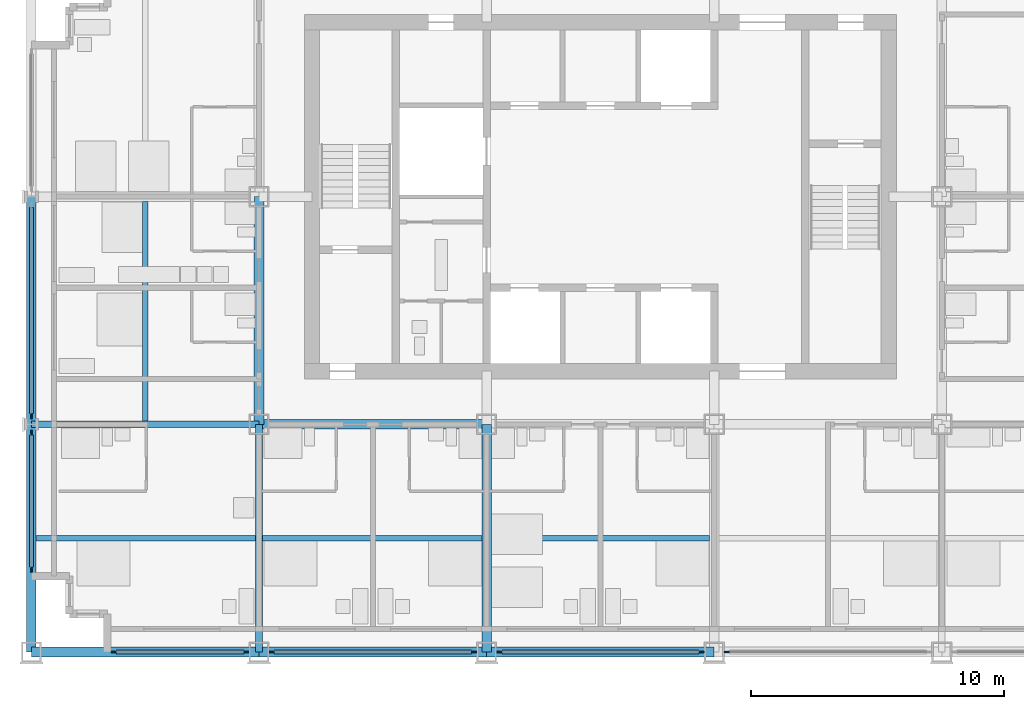
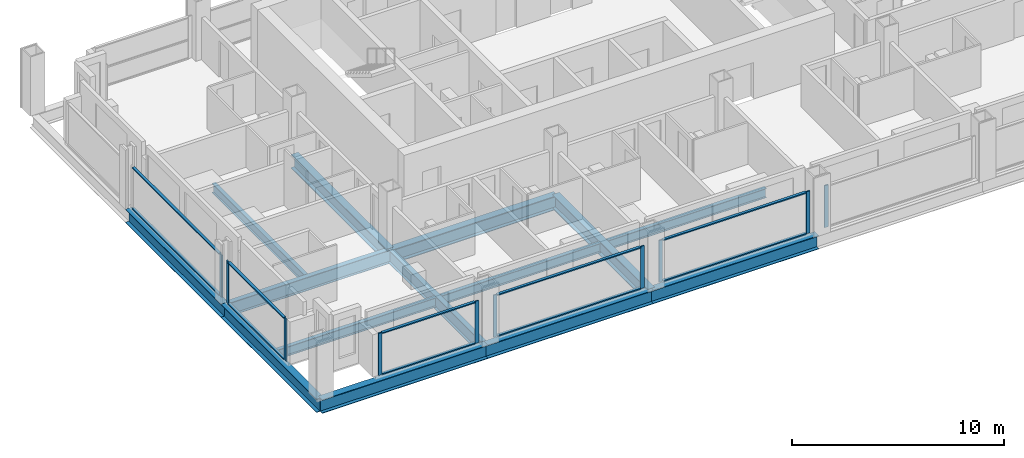
# One storey, part 2 of 14: 20 members, 14 beams, 6 elements without a shape of their own.
"""IFC4 building model written with IfcOpenShell, lengths in metres."""

from ifc_helpers import new_model, si_unit, direction, frame, origin, origin_2d, place, context, subcontext, project, spatial, rectangle, i_section, extrude, material, material_profile, profile_set, type_object, element, aggregate, save


model = new_model("IFC4")

# Units and contexts
model_context = context("Model", 3, precision=1e-05, world=origin(), true_north=direction((0.0, 1.0)))
body_context = subcontext(model_context, "Body", "Model", "MODEL_VIEW")
ifc_project = project(units=[si_unit("LENGTHUNIT", "METRE"), si_unit("AREAUNIT", "SQUARE_METRE"), si_unit("VOLUMEUNIT", "CUBIC_METRE"), si_unit("PLANEANGLEUNIT", "RADIAN"), si_unit("MASSUNIT", "GRAM", prefix="KILO")], contexts=[model_context])

# Site, building, storey
site_placement = place(None, origin())
site = spatial("IfcSite", under=ifc_project, at=site_placement, CompositionType="ELEMENT")
building_placement = place(site_placement, origin())
building = spatial("IfcBuilding", under=site, at=building_placement, Name="Loomwork Tower", CompositionType="ELEMENT")
storey_placement = place(building_placement, frame((0.0, 0.0, 167.199951171875)))
storey = spatial("IfcBuildingStorey", under=building, at=storey_placement, Name="L45", CompositionType="ELEMENT", Elevation=167.199951171875)

# Beams
ifc_material_1 = material(Name="Steel ASTM A992", Category="steel")
ifc_material_profile_1 = material_profile(ifc_material_1, i_section(OverallWidth=0.383544921875, OverallDepth=0.794921875, WebThickness=0.02099609375, FlangeThickness=0.0380859375, at=origin_2d()), Name="W30x235")
ifc_profile_set_1 = profile_set([ifc_material_profile_1], Name="Steel ASTM A992")
beam_type_1 = type_object("IfcBeamType", Name="CORE FLANK GIRDER W30x235", PredefinedType="BEAM", material=ifc_profile_set_1)
for number, where, z_axis, x_axis, name in (
    (1, (9.0, 9.0, -0.597412109375), (1.0, 0.0, 0.0), (0.0, 1.0, 0.0), "Core Flank Girder E/3-E/4 L45"),
    (2, (9.0, 9.0, -0.597412109375), (0.0, 1.0, 0.0), (-1.0, 0.0, 0.0), "Core Flank Girder E/3-F/3 L45"),
    (3, (18.0, 0.0, -0.597412109375), (0.0, 1.0, 0.0), (-1.0, 0.0, 0.0), "Core Flank Girder D/4-E/4 L45"),
):
    element("IfcBeam", number, at=place(storey_placement, frame(where, z_axis=z_axis, x_axis=x_axis)), inside=storey, type_object=beam_type_1, Name=name, PredefinedType="BEAM", context=body_context, shape_type="SweptSolid", body=[
        extrude(i_section(OverallWidth=0.383544921875, OverallDepth=0.794921875, WebThickness=0.02099609375, FlangeThickness=0.0380859375, at=origin_2d()), origin(), (0.0, 0.0, 1.0), 9.0),
    ])
ifc_material_2 = material(Name="Steel ASTM A992", Category="steel")
ifc_material_profile_2 = material_profile(ifc_material_2, i_section(OverallWidth=0.2666015625, OverallDepth=0.761962890625, WebThickness=0.014404296875, FlangeThickness=0.021484375, at=origin_2d()), Name="W30x116")
ifc_profile_set_2 = profile_set([ifc_material_profile_2], Name="Steel ASTM A992")
beam_type_2 = type_object("IfcBeamType", Name="FLOOR GIRDER W30x116", PredefinedType="BEAM", material=ifc_profile_set_2)
for number, where, z_axis, x_axis, name in (
    (4, (0.0, 9.0, -0.5810546875), (1.0, 0.0, 0.0), (0.0, 1.0, 0.0), "Floor Girder E/2-E/3 L45"),
    (5, (9.0, 0.0, -0.5810546875), (0.0, 1.0, 0.0), (-1.0, 0.0, 0.0), "Floor Girder D/3-E/3 L45"),
):
    element("IfcBeam", number, at=place(storey_placement, frame(where, z_axis=z_axis, x_axis=x_axis)), inside=storey, type_object=beam_type_2, Name=name, PredefinedType="BEAM", context=body_context, shape_type="SweptSolid", body=[
        extrude(i_section(OverallWidth=0.2666015625, OverallDepth=0.761962890625, WebThickness=0.014404296875, FlangeThickness=0.021484375, at=origin_2d()), origin(), (0.0, 0.0, 1.0), 9.0),
    ])
ifc_material_3 = material(Name="Steel ASTM A992", Category="steel")
ifc_material_profile_3 = material_profile(ifc_material_3, i_section(OverallWidth=0.2109375, OverallDepth=0.53857421875, WebThickness=0.011474609375, FlangeThickness=0.018798828125, at=origin_2d()), Name="W21x73")
ifc_profile_set_3 = profile_set([ifc_material_profile_3], Name="Steel ASTM A992")
beam_type_3 = type_object("IfcBeamType", Name="FLOOR JOIST W21x73", PredefinedType="JOIST", material=ifc_profile_set_3)
beam_1_placement = place(storey_placement, frame((0.18994140625, 4.5, -0.46923828125), z_axis=(1.0, 0.0, 0.0), x_axis=(0.0, 1.0, 0.0)))
element("IfcBeam", 6, at=beam_1_placement, inside=storey, type_object=beam_type_3, Name="Floor Joist 0.000,4.500-9.000,4.500 L45", PredefinedType="JOIST", context=body_context, shape_type="SweptSolid", body=[
    extrude(i_section(OverallWidth=0.2109375, OverallDepth=0.53857421875, WebThickness=0.011474609375, FlangeThickness=0.018798828125, at=origin_2d()), origin(), (0.0, 0.0, 1.0), 8.677001953125),
])
for number, where, z_axis, x_axis, name in (
    (7, (4.5, 9.133056640625, -0.46923828125), (0.0, 1.0, 0.0), (-1.0, 0.0, 0.0), "Floor Joist 4.500,9.000-4.500,18.000 L45"),
    (8, (9.133056640625, 4.5, -0.46923828125), (1.0, 0.0, 0.0), (0.0, 1.0, 0.0), "Floor Joist 9.000,4.500-18.000,4.500 L45"),
):
    element("IfcBeam", number, at=place(storey_placement, frame(where, z_axis=z_axis, x_axis=x_axis)), inside=storey, type_object=beam_type_3, Name=name, PredefinedType="JOIST", context=body_context, shape_type="SweptSolid", body=[
        extrude(i_section(OverallWidth=0.2109375, OverallDepth=0.53857421875, WebThickness=0.011474609375, FlangeThickness=0.018798828125, at=origin_2d()), origin(), (0.0, 0.0, 1.0), 8.676025390625),
    ])
beam_2_placement = place(storey_placement, frame((18.19091796875, 4.5, -0.46923828125), z_axis=(1.0, 0.0, 0.0), x_axis=(0.0, 1.0, 0.0)))
element("IfcBeam", 9, at=beam_2_placement, inside=storey, type_object=beam_type_3, Name="Floor Joist 18.000,4.500-27.000,4.500 L45", PredefinedType="JOIST", context=body_context, shape_type="SweptSolid", body=[
    extrude(i_section(OverallWidth=0.2109375, OverallDepth=0.53857421875, WebThickness=0.011474609375, FlangeThickness=0.018798828125, at=origin_2d()), origin(), (0.0, 0.0, 1.0), 8.6181640625),
])

# Curtain wall, members
ifc_material_4 = material(Name="Aluminium curtain wall frame", Category="aluminium")
curtain_wall_type = type_object("IfcCurtainWallType", Name="Outer skin glazing hotel", PredefinedType="NOTDEFINED", material=ifc_material_4)
curtain_wall_1_placement = place(storey_placement, origin())
curtain_wall_1 = element("IfcCurtainWall", 10, at=curtain_wall_1_placement, inside=storey, type_object=curtain_wall_type, Name="Outer skin glazing hotel cw/S-0", PredefinedType="NOTDEFINED")
ifc_material_5 = material(Name="Aluminium curtain wall frame", Category="aluminium")
ifc_material_profile_4 = material_profile(ifc_material_5, rectangle(XDim=0.06494140625, YDim=0.199951171875, at=origin_2d()), Name="AL 65x200")
ifc_profile_set_4 = profile_set([ifc_material_profile_4], Name="Aluminium curtain wall frame")
member_type_1 = type_object("IfcMemberType", Name="Outer skin glazing hotel mullion", PredefinedType="MULLION", material=ifc_profile_set_4)
member_1_placement = place(storey_placement, frame((3.25, 0.0, 0.0), z_axis=(0.0, 0.0, 1.0), x_axis=(0.0, 1.0, 0.0)))
member_1 = element("IfcMember", 11, at=member_1_placement, type_object=member_type_1, Name="CW1 mullion 1", PredefinedType="MULLION", context=body_context, shape_type="SweptSolid", body=[
    extrude(rectangle(XDim=0.06494140625, YDim=0.199951171875, at=origin_2d()), origin(), (0.0, 0.0, 1.0), 2.420166015625),
])
member_2_placement = place(storey_placement, frame((8.5, 0.0, 0.0), z_axis=(0.0, 0.0, 1.0), x_axis=(0.0, 1.0, 0.0)))
member_2 = element("IfcMember", 12, at=member_2_placement, type_object=member_type_1, Name="CW1 mullion 2", PredefinedType="MULLION", context=body_context, shape_type="SweptSolid", body=[
    extrude(rectangle(XDim=0.06494140625, YDim=0.199951171875, at=origin_2d()), origin(), (0.0, 0.0, 1.0), 2.420166015625),
])

curtain_wall_2_placement = place(storey_placement, origin())
curtain_wall_2 = element("IfcCurtainWall", 13, at=curtain_wall_2_placement, inside=storey, type_object=curtain_wall_type, Name="Outer skin glazing hotel cw/S-9", PredefinedType="NOTDEFINED")
member_3_placement = place(storey_placement, frame((9.5, 0.0, 0.0), z_axis=(0.0, 0.0, 1.0), x_axis=(0.0, 1.0, 0.0)))
member_3 = element("IfcMember", 14, at=member_3_placement, type_object=member_type_1, Name="CW1 mullion 1", PredefinedType="MULLION", context=body_context, shape_type="SweptSolid", body=[
    extrude(rectangle(XDim=0.06494140625, YDim=0.199951171875, at=origin_2d()), origin(), (0.0, 0.0, 1.0), 2.420166015625),
])
member_4_placement = place(storey_placement, frame((17.5, 0.0, 0.0), z_axis=(0.0, 0.0, 1.0), x_axis=(0.0, 1.0, 0.0)))
member_4 = element("IfcMember", 15, at=member_4_placement, type_object=member_type_1, Name="CW1 mullion 2", PredefinedType="MULLION", context=body_context, shape_type="SweptSolid", body=[
    extrude(rectangle(XDim=0.06494140625, YDim=0.199951171875, at=origin_2d()), origin(), (0.0, 0.0, 1.0), 2.420166015625),
])

curtain_wall_3_placement = place(storey_placement, origin())
curtain_wall_3 = element("IfcCurtainWall", 16, at=curtain_wall_3_placement, inside=storey, type_object=curtain_wall_type, Name="Outer skin glazing hotel cw/S-18", PredefinedType="NOTDEFINED")
member_5_placement = place(storey_placement, frame((18.5, 0.0, 0.0), z_axis=(0.0, 0.0, 1.0), x_axis=(0.0, 1.0, 0.0)))
member_5 = element("IfcMember", 17, at=member_5_placement, type_object=member_type_1, Name="CW1 mullion 1", PredefinedType="MULLION", context=body_context, shape_type="SweptSolid", body=[
    extrude(rectangle(XDim=0.06494140625, YDim=0.199951171875, at=origin_2d()), origin(), (0.0, 0.0, 1.0), 2.420166015625),
])
member_6_placement = place(storey_placement, frame((26.5, 0.0, 0.0), z_axis=(0.0, 0.0, 1.0), x_axis=(0.0, 1.0, 0.0)))
member_6 = element("IfcMember", 18, at=member_6_placement, type_object=member_type_1, Name="CW1 mullion 2", PredefinedType="MULLION", context=body_context, shape_type="SweptSolid", body=[
    extrude(rectangle(XDim=0.06494140625, YDim=0.199951171875, at=origin_2d()), origin(), (0.0, 0.0, 1.0), 2.420166015625),
])

# Curtain wall, member
curtain_wall_4_placement = place(storey_placement, origin())
curtain_wall_4 = element("IfcCurtainWall", 19, at=curtain_wall_4_placement, inside=storey, type_object=curtain_wall_type, Name="Outer skin glazing hotel cw/S-27", PredefinedType="NOTDEFINED")
member_7_placement = place(storey_placement, frame((27.5, 0.0, 0.0), z_axis=(0.0, 0.0, 1.0), x_axis=(0.0, 1.0, 0.0)))
member_7 = element("IfcMember", 20, at=member_7_placement, type_object=member_type_1, Name="CW1 mullion 1", PredefinedType="MULLION", context=body_context, shape_type="SweptSolid", body=[
    extrude(rectangle(XDim=0.06494140625, YDim=0.199951171875, at=origin_2d()), origin(), (0.0, 0.0, 1.0), 2.420166015625),
])
aggregate(curtain_wall_4, [member_7])

# Curtain wall, members
curtain_wall_5_placement = place(storey_placement, origin())
curtain_wall_5 = element("IfcCurtainWall", 21, at=curtain_wall_5_placement, inside=storey, type_object=curtain_wall_type, Name="Outer skin glazing hotel cw/W-0", PredefinedType="NOTDEFINED")
member_8_placement = place(storey_placement, frame((0.0, 8.67529296875, 0.0), z_axis=(0.0, 0.0, 1.0), x_axis=(1.0, 0.0, 0.0)))
member_8 = element("IfcMember", 22, at=member_8_placement, type_object=member_type_1, Name="CW1 mullion 1", PredefinedType="MULLION", context=body_context, shape_type="SweptSolid", body=[
    extrude(rectangle(XDim=0.06494140625, YDim=0.199951171875, at=origin_2d()), origin(), (0.0, 0.0, 1.0), 2.420166015625),
])
member_9_placement = place(storey_placement, frame((0.0, 3.25, 0.0), z_axis=(0.0, 0.0, 1.0), x_axis=(1.0, 0.0, 0.0)))
member_9 = element("IfcMember", 23, at=member_9_placement, type_object=member_type_1, Name="CW1 mullion 2", PredefinedType="MULLION", context=body_context, shape_type="SweptSolid", body=[
    extrude(rectangle(XDim=0.06494140625, YDim=0.199951171875, at=origin_2d()), origin(), (0.0, 0.0, 1.0), 2.420166015625),
])

# Curtain wall, member
curtain_wall_6_placement = place(storey_placement, origin())
curtain_wall_6 = element("IfcCurtainWall", 24, at=curtain_wall_6_placement, inside=storey, type_object=curtain_wall_type, Name="Outer skin glazing hotel cw/W-9", PredefinedType="NOTDEFINED")
member_10_placement = place(storey_placement, frame((0.0, 9.32470703125, 0.0), z_axis=(0.0, 0.0, 1.0), x_axis=(1.0, 0.0, 0.0)))
member_10 = element("IfcMember", 25, at=member_10_placement, type_object=member_type_1, Name="CW1 mullion 2", PredefinedType="MULLION", context=body_context, shape_type="SweptSolid", body=[
    extrude(rectangle(XDim=0.06494140625, YDim=0.199951171875, at=origin_2d()), origin(), (0.0, 0.0, 1.0), 2.420166015625),
])

# Member
ifc_material_6 = material(Name="Aluminium curtain wall frame", Category="aluminium")
ifc_material_profile_5 = material_profile(ifc_material_6, rectangle(XDim=0.14990234375, YDim=0.06494140625, at=origin_2d()), Name="AL 65x150")
ifc_profile_set_5 = profile_set([ifc_material_profile_5], Name="Aluminium curtain wall frame")
member_type_2 = type_object("IfcMemberType", Name="Outer skin glazing hotel transom", PredefinedType="USERDEFINED", material=ifc_profile_set_5)
member_11_placement = place(storey_placement, frame((3.35009765625, 0.0, 0.032470703125), z_axis=(1.0, 0.0, 0.0), x_axis=(0.0, 1.0, 0.0)))
member_11 = element("IfcMember", 26, at=member_11_placement, type_object=member_type_2, Name="CW1 transom 1.1", ObjectType="TRANSOM", PredefinedType="USERDEFINED", context=body_context, shape_type="SweptSolid", body=[
    extrude(rectangle(XDim=0.14990234375, YDim=0.06494140625, at=origin_2d()), origin(), (0.0, 0.0, 1.0), 5.0498046875),
])

member_12_placement = place(storey_placement, frame((3.35009765625, 0.0, 2.3876953125), z_axis=(1.0, 0.0, 0.0), x_axis=(0.0, 1.0, 0.0)))
member_12 = element("IfcMember", 27, at=member_12_placement, type_object=member_type_2, Name="CW1 transom 1.2", ObjectType="TRANSOM", PredefinedType="USERDEFINED", context=body_context, shape_type="SweptSolid", body=[
    extrude(rectangle(XDim=0.14990234375, YDim=0.06494140625, at=origin_2d()), origin(), (0.0, 0.0, 1.0), 5.0498046875),
])

aggregate(curtain_wall_1, [member_1, member_2, member_11, member_12])

member_13_placement = place(storey_placement, frame((9.60009765625, 0.0, 0.032470703125), z_axis=(1.0, 0.0, 0.0), x_axis=(0.0, 1.0, 0.0)))
member_13 = element("IfcMember", 28, at=member_13_placement, type_object=member_type_2, Name="CW1 transom 1.1", ObjectType="TRANSOM", PredefinedType="USERDEFINED", context=body_context, shape_type="SweptSolid", body=[
    extrude(rectangle(XDim=0.14990234375, YDim=0.06494140625, at=origin_2d()), origin(), (0.0, 0.0, 1.0), 7.7998046875),
])

member_14_placement = place(storey_placement, frame((9.60009765625, 0.0, 2.3876953125), z_axis=(1.0, 0.0, 0.0), x_axis=(0.0, 1.0, 0.0)))
member_14 = element("IfcMember", 29, at=member_14_placement, type_object=member_type_2, Name="CW1 transom 1.2", ObjectType="TRANSOM", PredefinedType="USERDEFINED", context=body_context, shape_type="SweptSolid", body=[
    extrude(rectangle(XDim=0.14990234375, YDim=0.06494140625, at=origin_2d()), origin(), (0.0, 0.0, 1.0), 7.7998046875),
])

aggregate(curtain_wall_2, [member_3, member_4, member_13, member_14])

member_15_placement = place(storey_placement, frame((18.60009765625, 0.0, 0.032470703125), z_axis=(1.0, 0.0, 0.0), x_axis=(0.0, 1.0, 0.0)))
member_15 = element("IfcMember", 30, at=member_15_placement, type_object=member_type_2, Name="CW1 transom 1.1", ObjectType="TRANSOM", PredefinedType="USERDEFINED", context=body_context, shape_type="SweptSolid", body=[
    extrude(rectangle(XDim=0.14990234375, YDim=0.06494140625, at=origin_2d()), origin(), (0.0, 0.0, 1.0), 7.7998046875),
])

member_16_placement = place(storey_placement, frame((18.60009765625, 0.0, 2.3876953125), z_axis=(1.0, 0.0, 0.0), x_axis=(0.0, 1.0, 0.0)))
member_16 = element("IfcMember", 31, at=member_16_placement, type_object=member_type_2, Name="CW1 transom 1.2", ObjectType="TRANSOM", PredefinedType="USERDEFINED", context=body_context, shape_type="SweptSolid", body=[
    extrude(rectangle(XDim=0.14990234375, YDim=0.06494140625, at=origin_2d()), origin(), (0.0, 0.0, 1.0), 7.7998046875),
])

aggregate(curtain_wall_3, [member_5, member_6, member_15, member_16])

member_17_placement = place(storey_placement, frame((0.0, 8.5751953125, 0.032470703125), z_axis=(0.0, -1.0, 0.0), x_axis=(1.0, 0.0, 0.0)))
member_17 = element("IfcMember", 32, at=member_17_placement, type_object=member_type_2, Name="CW1 transom 1.1", ObjectType="TRANSOM", PredefinedType="USERDEFINED", context=body_context, shape_type="SweptSolid", body=[
    extrude(rectangle(XDim=0.14990234375, YDim=0.06494140625, at=origin_2d()), origin(), (0.0, 0.0, 1.0), 5.22509765625),
])

member_18_placement = place(storey_placement, frame((0.0, 8.5751953125, 2.3876953125), z_axis=(0.0, -1.0, 0.0), x_axis=(1.0, 0.0, 0.0)))
member_18 = element("IfcMember", 33, at=member_18_placement, type_object=member_type_2, Name="CW1 transom 1.2", ObjectType="TRANSOM", PredefinedType="USERDEFINED", context=body_context, shape_type="SweptSolid", body=[
    extrude(rectangle(XDim=0.14990234375, YDim=0.06494140625, at=origin_2d()), origin(), (0.0, 0.0, 1.0), 5.22509765625),
])

aggregate(curtain_wall_5, [member_8, member_9, member_17, member_18])

member_19_placement = place(storey_placement, frame((0.0, 17.5751953125, 0.032470703125), z_axis=(0.0, -1.0, 0.0), x_axis=(1.0, 0.0, 0.0)))
member_19 = element("IfcMember", 34, at=member_19_placement, type_object=member_type_2, Name="CW1 transom 1.1", ObjectType="TRANSOM", PredefinedType="USERDEFINED", context=body_context, shape_type="SweptSolid", body=[
    extrude(rectangle(XDim=0.14990234375, YDim=0.06494140625, at=origin_2d()), origin(), (0.0, 0.0, 1.0), 8.150390625),
])

member_20_placement = place(storey_placement, frame((0.0, 17.5751953125, 2.3876953125), z_axis=(0.0, -1.0, 0.0), x_axis=(1.0, 0.0, 0.0)))
member_20 = element("IfcMember", 35, at=member_20_placement, type_object=member_type_2, Name="CW1 transom 1.2", ObjectType="TRANSOM", PredefinedType="USERDEFINED", context=body_context, shape_type="SweptSolid", body=[
    extrude(rectangle(XDim=0.14990234375, YDim=0.06494140625, at=origin_2d()), origin(), (0.0, 0.0, 1.0), 8.150390625),
])

aggregate(curtain_wall_6, [member_10, member_19, member_20])

# Beams
ifc_material_7 = material(Name="Steel ASTM A992", Category="steel")
ifc_material_profile_6 = material_profile(ifc_material_7, i_section(OverallWidth=0.381103515625, OverallDepth=0.77978515625, WebThickness=0.01806640625, FlangeThickness=0.0302734375, at=origin_2d()), Name="W30x191")
ifc_profile_set_6 = profile_set([ifc_material_profile_6], Name="Steel ASTM A992")
beam_type_4 = type_object("IfcBeamType", Name="SPANDREL GIRDER W30x191", PredefinedType="SPANDREL", material=ifc_profile_set_6)
for number, where, z_axis, x_axis, name in (
    (36, (0.0, 0.0, -0.58984375), (1.0, 0.0, 0.0), (0.0, 1.0, 0.0), "Spandrel Girder D/2-D/3 L45"),
    (37, (9.0, 0.0, -0.58984375), (1.0, 0.0, 0.0), (0.0, 1.0, 0.0), "Spandrel Girder D/3-D/4 L45"),
    (38, (18.0, 0.0, -0.58984375), (1.0, 0.0, 0.0), (0.0, 1.0, 0.0), "Spandrel Girder D/4-D/5 L45"),
    (39, (0.0, 0.0, -0.58984375), (0.0, 1.0, 0.0), (-1.0, 0.0, 0.0), "Spandrel Girder D/2-E/2 L45"),
    (40, (0.0, 9.0, -0.58984375), (0.0, 1.0, 0.0), (-1.0, 0.0, 0.0), "Spandrel Girder E/2-F/2 L45"),
):
    element("IfcBeam", number, at=place(storey_placement, frame(where, z_axis=z_axis, x_axis=x_axis)), inside=storey, type_object=beam_type_4, Name=name, PredefinedType="SPANDREL", context=body_context, shape_type="SweptSolid", body=[
        extrude(i_section(OverallWidth=0.381103515625, OverallDepth=0.77978515625, WebThickness=0.01806640625, FlangeThickness=0.0302734375, at=origin_2d()), origin(), (0.0, 0.0, 1.0), 9.0),
    ])

save(model, "model.ifc")
